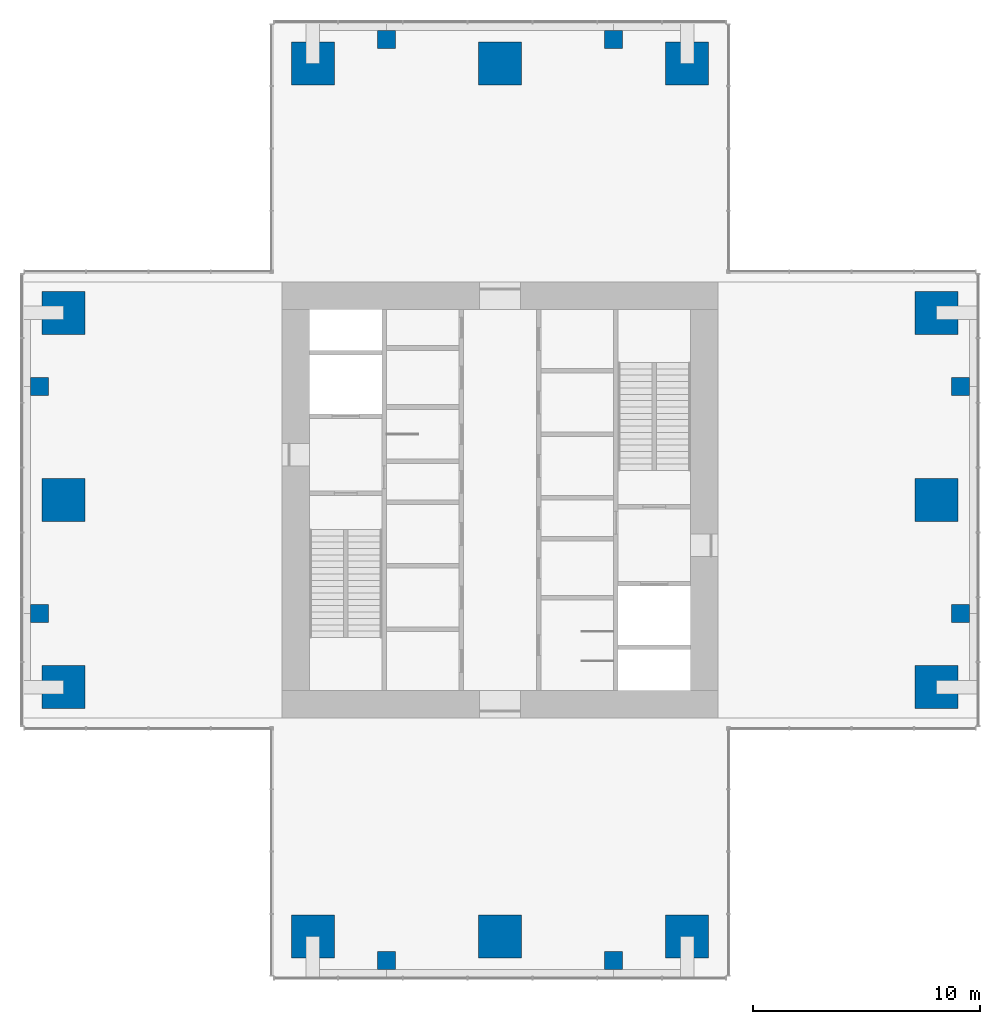
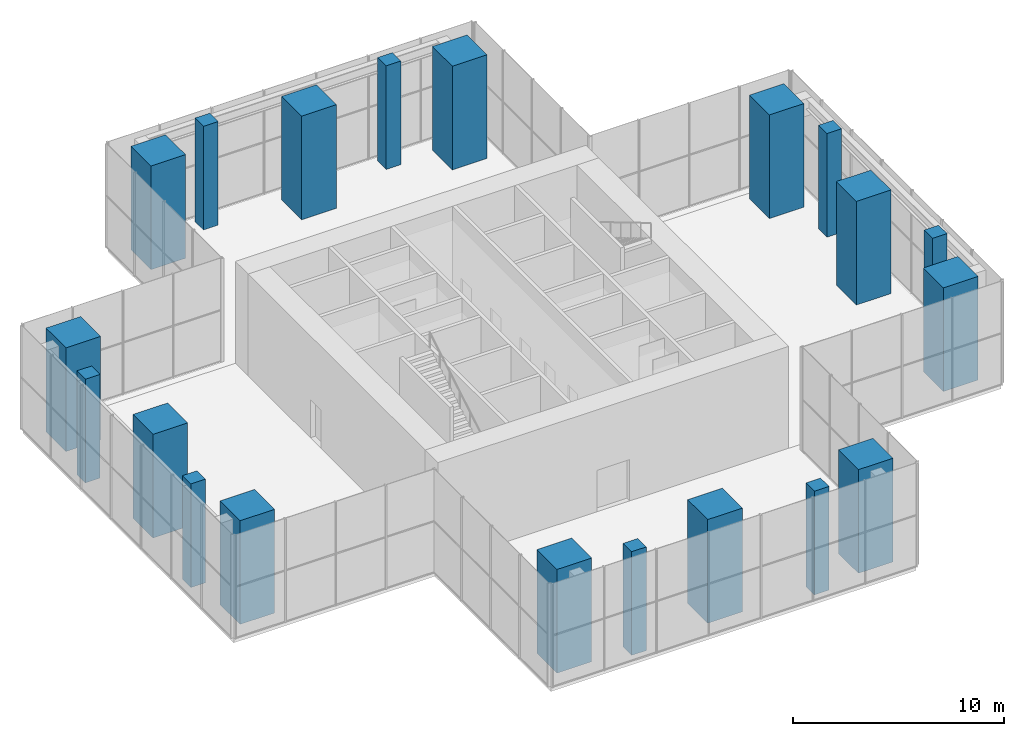
# One storey, part 1 of 11: 20 columns.
"""IFC4 building model written with IfcOpenShell, lengths in metres."""

from ifc_helpers import new_model, si_unit, direction, frame, origin, origin_2d, place, context, subcontext, project, spatial, rectangle, extrude, material, material_profile, profile_set, type_object, element, save


model = new_model("IFC4")

# Units and contexts
model_context = context("Model", 3, precision=1e-05, world=origin(), true_north=direction((0.0, 1.0)))
body_context = subcontext(model_context, "Body", "Model", "MODEL_VIEW")
ifc_project = project(units=[si_unit("LENGTHUNIT", "METRE"), si_unit("AREAUNIT", "SQUARE_METRE"), si_unit("VOLUMEUNIT", "CUBIC_METRE"), si_unit("PLANEANGLEUNIT", "RADIAN"), si_unit("MASSUNIT", "GRAM", prefix="KILO")], contexts=[model_context])

# Site, building, storey
site_placement = place(None, origin())
site = spatial("IfcSite", under=ifc_project, at=site_placement, CompositionType="ELEMENT")
building_placement = place(site_placement, origin())
building = spatial("IfcBuilding", under=site, at=building_placement, Name="Svetlomir Tower", CompositionType="ELEMENT")
storey_placement = place(building_placement, frame((0.0, 0.0, 277.89990234375)))
storey = spatial("IfcBuildingStorey", under=building, at=storey_placement, Name="L66", CompositionType="ELEMENT", Elevation=277.89990234375)

# Columns
ifc_material_1 = material(Name="Concrete C60/75", Category="concrete")
ifc_material_profile_1 = material_profile(ifc_material_1, rectangle(XDim=1.89990234375, YDim=1.89990234375, at=origin_2d()), Name="RC 1900x1900")
ifc_profile_set_1 = profile_set([ifc_material_profile_1], Name="Concrete C60/75")
column_type_1 = type_object("IfcColumnType", Name="COLUMN RC 1900x1900", PredefinedType="COLUMN", material=ifc_profile_set_1)
for number, where, z_axis, x_axis, name in (
    (1, (12.75, 1.75, 0.0), (0.0, 0.0, 1.0), (1.0, 0.0, 0.0), "Column 11/0 L66"),
    (2, (21.0, 1.75, 0.0), (0.0, 0.0, 1.0), (1.0, 0.0, 0.0), "Column 21/0 L66"),
    (3, (29.25, 1.75, 0.0), (0.0, 0.0, 1.0), (1.0, 0.0, 0.0), "Column 31/0 L66"),
    (4, (1.75, 12.75, 0.0), (0.0, 0.0, 1.0), (1.0, 0.0, 0.0), "Column 0/11 L66"),
    (5, (40.25, 12.75, 0.0), (0.0, 0.0, 1.0), (1.0, 0.0, 0.0), "Column 42/11 L66"),
    (6, (1.75, 21.0, 0.0), (0.0, 0.0, 1.0), (1.0, 0.0, 0.0), "Column 0/21 L66"),
    (7, (40.25, 21.0, 0.0), (0.0, 0.0, 1.0), (1.0, 0.0, 0.0), "Column 42/21 L66"),
    (8, (1.75, 29.25, 0.0), (0.0, 0.0, 1.0), (1.0, 0.0, 0.0), "Column 0/31 L66"),
    (9, (40.25, 29.25, 0.0), (0.0, 0.0, 1.0), (1.0, 0.0, 0.0), "Column 42/31 L66"),
    (10, (12.75, 40.25, 0.0), (0.0, 0.0, 1.0), (1.0, 0.0, 0.0), "Column 11/42 L66"),
    (11, (21.0, 40.25, 0.0), (0.0, 0.0, 1.0), (1.0, 0.0, 0.0), "Column 21/42 L66"),
    (12, (29.25, 40.25, 0.0), (0.0, 0.0, 1.0), (1.0, 0.0, 0.0), "Column 31/42 L66"),
):
    element("IfcColumn", number, at=place(storey_placement, frame(where, z_axis=z_axis, x_axis=x_axis)), inside=storey, type_object=column_type_1, Name=name, PredefinedType="COLUMN", context=body_context, shape_type="SweptSolid", body=[
        extrude(rectangle(XDim=1.89990234375, YDim=1.89990234375, at=origin_2d()), origin(), (0.0, 0.0, 1.0), 6.0),
    ])
ifc_material_2 = material(Name="Concrete C60/75", Category="concrete")
ifc_material_profile_2 = material_profile(ifc_material_2, rectangle(XDim=0.800048828125, YDim=0.800048828125, at=origin_2d()), Name="RC 800x800")
ifc_profile_set_2 = profile_set([ifc_material_profile_2], Name="Concrete C60/75")
column_type_2 = type_object("IfcColumnType", Name="COLUMN RC 800x800", PredefinedType="COLUMN", material=ifc_profile_set_2)
for number, where, z_axis, x_axis, name in (
    (13, (16.0, 0.699951171875, 0.0), (0.0, 0.0, 1.0), (1.0, 0.0, 0.0), "Column 16/0 L66"),
    (14, (26.0, 0.699951171875, 0.0), (0.0, 0.0, 1.0), (1.0, 0.0, 0.0), "Column 26/0 L66"),
    (15, (0.699951171875, 16.0, 0.0), (0.0, 0.0, 1.0), (1.0, 0.0, 0.0), "Column 0/16 L66"),
    (16, (41.300048828125, 16.0, 0.0), (0.0, 0.0, 1.0), (1.0, 0.0, 0.0), "Column 42/16 L66"),
    (17, (0.699951171875, 26.0, 0.0), (0.0, 0.0, 1.0), (1.0, 0.0, 0.0), "Column 0/26 L66"),
    (18, (41.300048828125, 26.0, 0.0), (0.0, 0.0, 1.0), (1.0, 0.0, 0.0), "Column 42/26 L66"),
    (19, (16.0, 41.300048828125, 0.0), (0.0, 0.0, 1.0), (1.0, 0.0, 0.0), "Column 16/42 L66"),
    (20, (26.0, 41.300048828125, 0.0), (0.0, 0.0, 1.0), (1.0, 0.0, 0.0), "Column 26/42 L66"),
):
    element("IfcColumn", number, at=place(storey_placement, frame(where, z_axis=z_axis, x_axis=x_axis)), inside=storey, type_object=column_type_2, Name=name, PredefinedType="COLUMN", context=body_context, shape_type="SweptSolid", body=[
        extrude(rectangle(XDim=0.800048828125, YDim=0.800048828125, at=origin_2d()), origin(), (0.0, 0.0, 1.0), 6.0),
    ])

save(model, "model.ifc")
